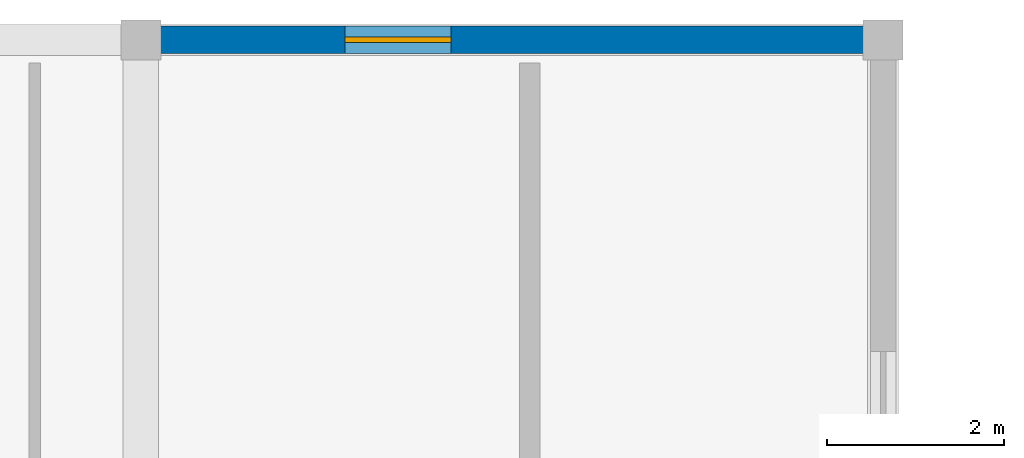
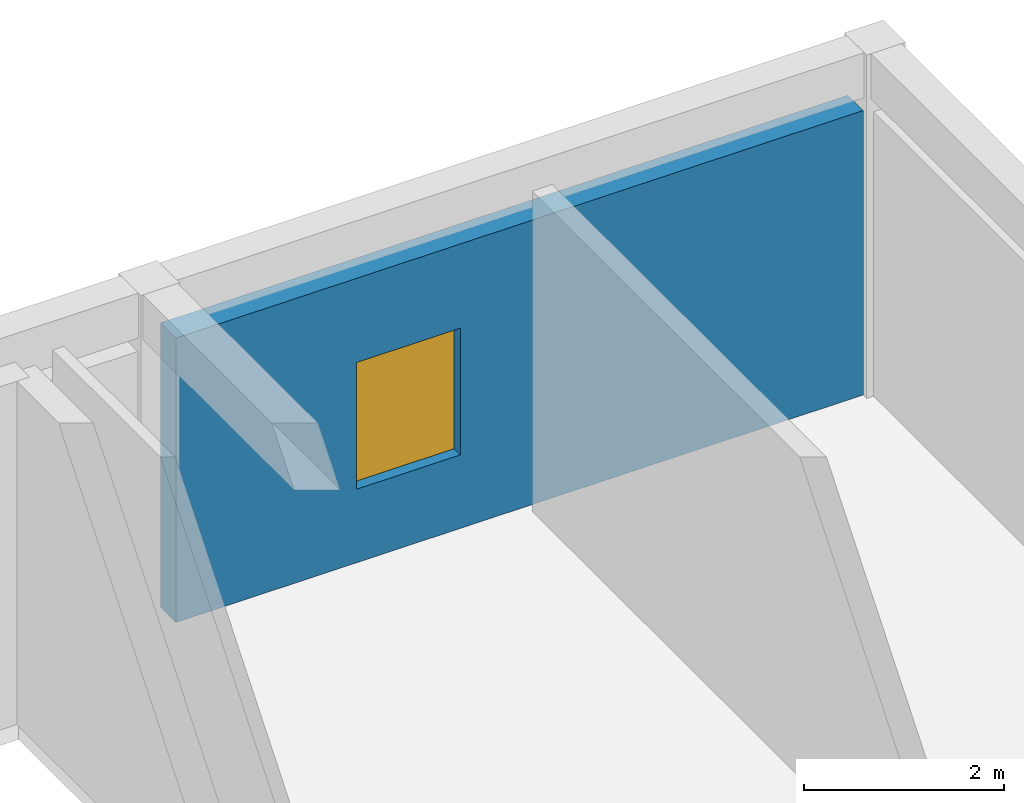
# One storey, part 20 of 22: 1 wall, 1 window, 1 opening.
"""IFC4 building model written with IfcOpenShell, lengths in metres."""

from ifc_helpers import new_model, si_unit, direction, frame, frame_2d, origin, place, context, subcontext, project, spatial, rectangle, extrude, material, layer, layer_set, type_object, element, fill, save


model = new_model("IFC4")

# Units and contexts
model_context = context("Model", 3, precision=1e-05, world=origin(), true_north=direction((0.0, 1.0)))
body_context = subcontext(model_context, "Body", "Model", "MODEL_VIEW")
ifc_project = project(units=[si_unit("LENGTHUNIT", "METRE"), si_unit("AREAUNIT", "SQUARE_METRE"), si_unit("VOLUMEUNIT", "CUBIC_METRE"), si_unit("PLANEANGLEUNIT", "RADIAN"), si_unit("MASSUNIT", "GRAM", prefix="KILO")], contexts=[model_context])

# Site, building, storey
site_placement = place(None, origin())
site = spatial("IfcSite", under=ifc_project, at=site_placement, CompositionType="ELEMENT")
building_placement = place(site_placement, origin())
building = spatial("IfcBuilding", under=site, at=building_placement, Name="Varncliffe General Hospital", CompositionType="ELEMENT")
storey_placement = place(building_placement, frame((0.0, 0.0, 33.0)))
storey = spatial("IfcBuildingStorey", under=building, at=storey_placement, Name="L07", CompositionType="ELEMENT", Elevation=33.0)

# Wall, opening, window
ifc_material_1 = material(Name="Precast concrete C40/50 with insulated cream lime-cement stucco", Category="concrete")
ifc_layer = layer(ifc_material_1, 0.31005859375)
ifc_layer_set = layer_set([ifc_layer], Name="Precast concrete C40/50 with insulated cream lime-cement stucco")
wall_type = type_object("IfcWallType", Name="Exterior Insulated Stucco Wall EW20 (310mm)", PredefinedType="SOLIDWALL", material=ifc_layer_set)
wall_placement = place(storey_placement, frame((168.222900390625, 124.800048828125, 0.0), z_axis=(0.0, 0.0, 1.0), x_axis=(1.0, 0.0, 0.0)))
wall = element("IfcWall", 1, at=wall_placement, inside=storey, type_object=wall_type, Name="L07 Exterior Stucco Wall EW20-566", PredefinedType="SOLIDWALL", context=body_context, shape_type="SweptSolid", body=[
    extrude(rectangle(XDim=7.9541015625, YDim=0.31005859375, at=frame_2d((3.97705078125, 0.0))), origin(), (0.0, 0.0, 1.0), 3.47998046875),
])
opening_placement = place(wall_placement, frame((2.089111328125, 0.0, 0.89990234375)))
opening = element("IfcOpeningElement", 2, at=opening_placement, cuts=wall, Name="Opening WN33", PredefinedType="OPENING", context=body_context, shape_type="SweptSolid", body=[
    extrude(rectangle(XDim=1.199951171875, YDim=1.550048828125, at=frame_2d((0.60009765625, 0.77490234375))), frame((0.0, 0.1650390625, 0.0), z_axis=(0.0, -1.0, 0.0), x_axis=(1.0, 0.0, 0.0)), (0.0, 0.0, 1.0), 0.330078125),
])
ifc_material_2 = material(Name="Triple low-E argon insulated vision glazing", Category="glass")
window_type = type_object("IfcWindowType", Name="Triple-Glazed Hospital Window WN33 (1200x1550)", PartitioningType="SINGLE_PANEL", PredefinedType="WINDOW", material=ifc_material_2)
window_placement = place(opening_placement, origin())
window = element("IfcWindow", 3, at=window_placement, inside=storey, type_object=window_type, Name="L07 Hospital Window WN33-450", OverallHeight=1.550048828125, OverallWidth=1.199951171875, PartitioningType="SINGLE_PANEL", PredefinedType="WINDOW", context=body_context, shape_type="SweptSolid", body=[
    extrude(rectangle(XDim=1.199951171875, YDim=1.550048828125, at=frame_2d((0.60009765625, 0.77490234375))), frame((0.0, 0.030029296875, 0.0), z_axis=(0.0, -1.0, 0.0), x_axis=(1.0, 0.0, 0.0)), (0.0, 0.0, 1.0), 0.06005859375),
])
fill(opening, window)

save(model, "model.ifc")
